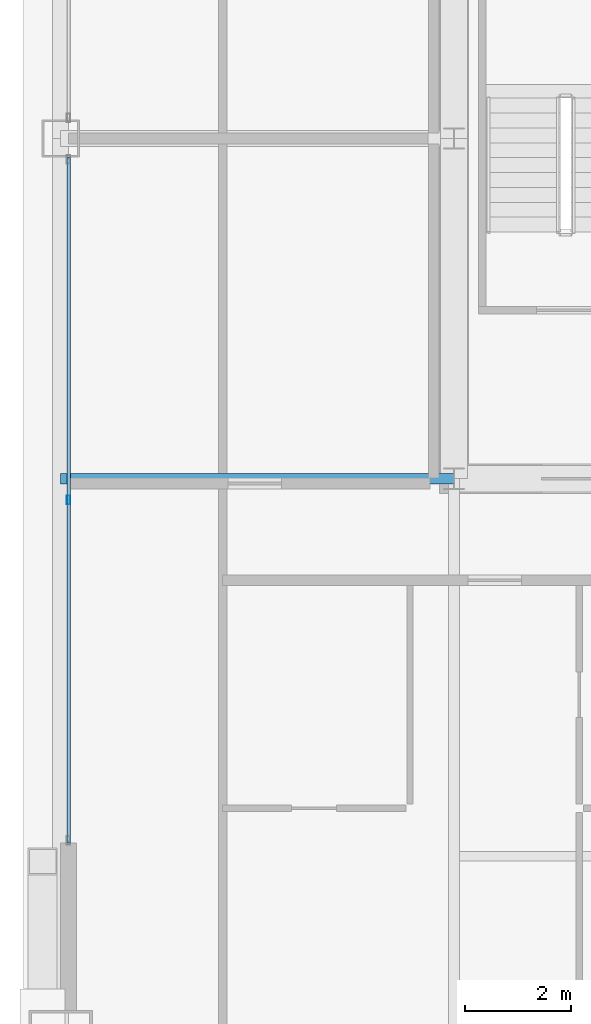
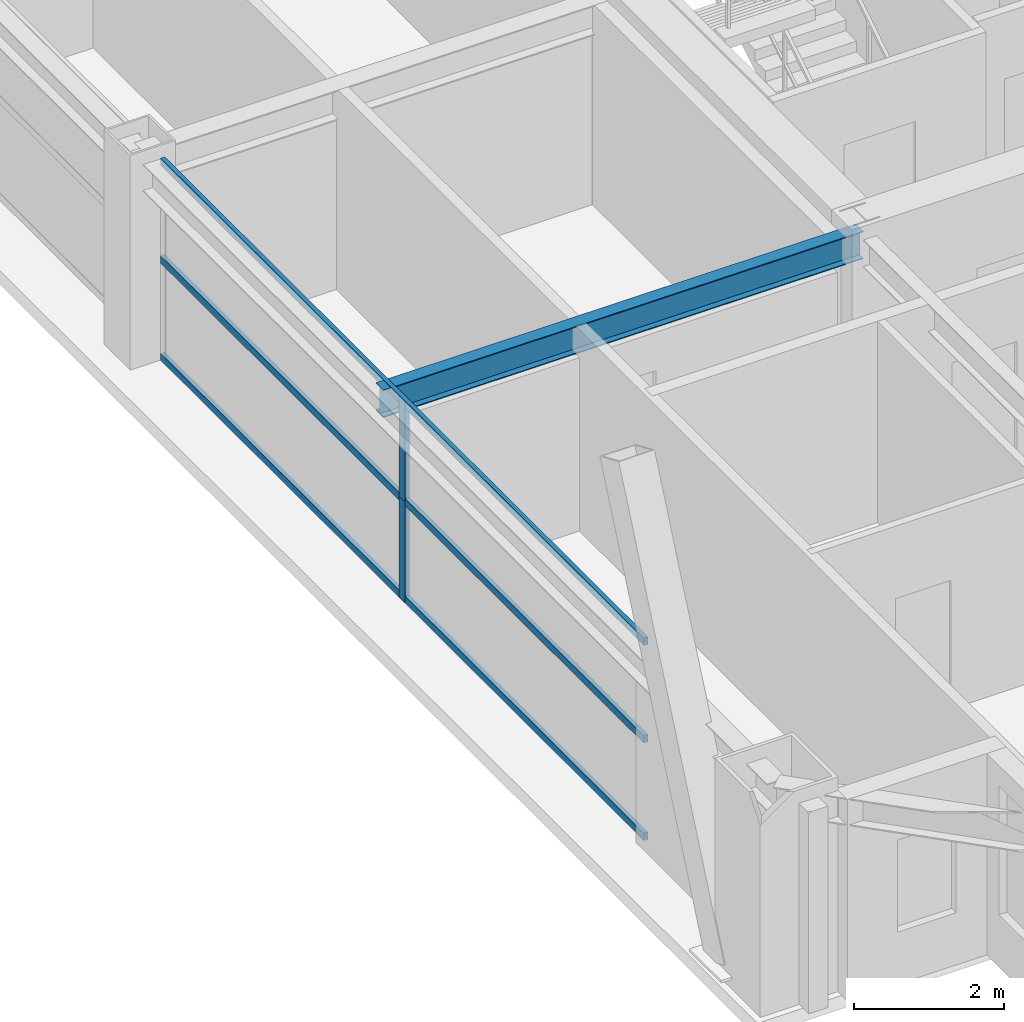
# One storey, part 7 of 35: 5 members, 1 beam, 1 element without a shape of its own.
"""IFC4 building model written with IfcOpenShell, lengths in metres."""

import ifcopenshell
import ifcopenshell.guid

model = None  # the IFC model being written
_history = None  # IfcOwnerHistory: only IFC2X3 demands one
_inside = {}  # id of a spatial element -> (the spatial element, [elements in it])
_under = {}  # id of a project, library or spatial element -> (it, [spatial elements below it])
_declared = {}  # id of a project -> (the project, [libraries it declares])
_typed = {}  # id of a type object -> (the type object, [elements of that type])
_made_of = {}  # id of a material, layer set ... -> (it, [elements and type objects made of it])


def new_model(schema):
    """Start an empty IFC model of exactly this schema.

    Asked for "IFC4X3", IfcOpenShell would pick the latest addendum, in which some entities
    have other attributes; the version numbers below select the first issue.
    IFC2X3 requires an IfcOwnerHistory on every rooted entity: one is made here for all.
    """
    global model, _history
    if schema == "IFC4X3":
        model = ifcopenshell.file(schema_version=(4, 3, 0, 0))
    else:
        model = ifcopenshell.file(schema=schema)
    _inside.clear()
    _under.clear()
    _declared.clear()
    _typed.clear()
    _made_of.clear()
    _history = None
    if model.schema == "IFC2X3":
        org = make("IfcOrganization", Name="unknown")
        user = make(
            "IfcPersonAndOrganization",
            ThePerson=make("IfcPerson", FamilyName="unknown"),
            TheOrganization=org,
        )
        app = make(
            "IfcApplication",
            ApplicationDeveloper=org,
            Version="unknown",
            ApplicationFullName="unknown",
            ApplicationIdentifier="unknown",
        )
        _history = make(
            "IfcOwnerHistory",
            OwningUser=user,
            OwningApplication=app,
            ChangeAction="ADDED",
            CreationDate=0,
        )
    return model


def make(cls, **values):
    """One entity of the class cls with the attributes given. An attribute that is None is left unset."""
    return model.create_entity(
        cls, **{name: value for name, value in values.items() if value is not None}
    )


def rooted(cls, **values):
    """An entity with a GlobalId (a new one), such as an element, a storey or a relation."""
    return make(cls, GlobalId=ifcopenshell.guid.new(), OwnerHistory=_history, **values)


def si_unit(unit_type, name, prefix=None):
    """IfcSIUnit, for example si_unit("LENGTHUNIT", "METRE", prefix="MILLI")."""
    return make("IfcSIUnit", UnitType=unit_type, Prefix=prefix, Name=name)


def assignment(units):
    """IfcUnitAssignment: the units of a project."""
    return None if units is None else make("IfcUnitAssignment", Units=units)


def point(xyz):
    """IfcCartesianPoint."""
    return None if xyz is None else make("IfcCartesianPoint", Coordinates=xyz)


def direction(xyz):
    """IfcDirection."""
    return None if xyz is None else make("IfcDirection", DirectionRatios=xyz)


def frame(location, z_axis=None, x_axis=None):
    """IfcAxis2Placement3D, a coordinate frame: its origin and axes. An axis left out is left unset."""
    return make(
        "IfcAxis2Placement3D",
        Location=point(location),
        Axis=direction(z_axis),
        RefDirection=direction(x_axis),
    )


def frame_2d(location, x_axis=None):
    """IfcAxis2Placement2D, a coordinate frame in the plane: its origin and x axis."""
    return make(
        "IfcAxis2Placement2D", Location=point(location), RefDirection=direction(x_axis)
    )


def origin():
    """The frame at (0, 0, 0) with its axes left unset."""
    return frame((0.0, 0.0, 0.0))


def origin_2d():
    """The frame at (0, 0) in the plane with its x axis left unset."""
    return frame_2d((0.0, 0.0))


def place(relative_to, where):
    """IfcLocalPlacement: puts the frame where relative to a parent placement (None: the world)."""
    return make(
        "IfcLocalPlacement", PlacementRelTo=relative_to, RelativePlacement=where
    )


def context(
    kind, dimensions, precision=None, world=None, true_north=None, identifier=None
):
    """IfcGeometricRepresentationContext, for example the 3D "Model" context."""
    return make(
        "IfcGeometricRepresentationContext",
        ContextIdentifier=identifier,
        ContextType=kind,
        CoordinateSpaceDimension=dimensions,
        Precision=precision,
        WorldCoordinateSystem=world,
        TrueNorth=true_north,
    )


def subcontext(parent, identifier, kind, view, scale=None):
    """IfcGeometricRepresentationSubContext, for example "Body" below "Model"."""
    return make(
        "IfcGeometricRepresentationSubContext",
        ContextIdentifier=identifier,
        ContextType=kind,
        ParentContext=parent,
        TargetScale=scale,
        TargetView=view,
    )


def project(units=None, contexts=None):
    """IfcProject with its units and contexts."""
    return rooted(
        "IfcProject",
        Name="project",
        RepresentationContexts=contexts,
        UnitsInContext=assignment(units),
    )


def spatial(cls, under=None, at=None, **own):
    """A site, building, storey or space (cls), placed at a placement, below another one or the project."""
    s = rooted(cls, ObjectPlacement=at, **own)
    if under is not None:
        _under.setdefault(under.id(), (under, []))[1].append(s)
    return s


def profile(cls, at=None, kind="AREA", **sizes):
    """A parametric profile (cls). Its sizes go by their IFC names, for example OverallWidth=200.0."""
    return make(cls, ProfileType=kind, Position=at, **sizes)


def hollow_rectangle(**sizes):
    """IfcRectangleHollowProfileDef."""
    return profile("IfcRectangleHollowProfileDef", **sizes)


def i_section(**sizes):
    """IfcIShapeProfileDef."""
    return profile("IfcIShapeProfileDef", **sizes)


def extrude(swept, where, along, depth):
    """IfcExtrudedAreaSolid: the profile swept, set in the frame where, extruded along a direction by depth."""
    return make(
        "IfcExtrudedAreaSolid",
        SweptArea=swept,
        Position=where,
        ExtrudedDirection=direction(along),
        Depth=depth,
    )


def shape(context_of_items, identifier, shape_type, items):
    """IfcShapeRepresentation: the items that make up one representation, for example the "Body"."""
    return make(
        "IfcShapeRepresentation",
        ContextOfItems=context_of_items,
        RepresentationIdentifier=identifier,
        RepresentationType=shape_type,
        Items=items,
    )


def source(mapping_origin, context_of_items, identifier, shape_type, items):
    """IfcRepresentationMap: a shape defined once, which mapped items show again and again."""
    return make(
        "IfcRepresentationMap",
        MappingOrigin=mapping_origin,
        MappedRepresentation=shape(context_of_items, identifier, shape_type, items),
    )


def transform(
    local_origin,
    x_axis=None,
    y_axis=None,
    z_axis=None,
    scale=None,
    scale2=None,
    scale3=None,
    uniform=True,
):
    """IfcCartesianTransformationOperator3D, or its non-uniform kind. x_axis, y_axis, z_axis: its Axis1, 2, 3."""
    if uniform:
        return make(
            "IfcCartesianTransformationOperator3D",
            Axis1=direction(x_axis),
            Axis2=direction(y_axis),
            LocalOrigin=point(local_origin),
            Scale=scale,
            Axis3=direction(z_axis),
        )
    return make(
        "IfcCartesianTransformationOperator3DnonUniform",
        Axis1=direction(x_axis),
        Axis2=direction(y_axis),
        LocalOrigin=point(local_origin),
        Scale=scale,
        Axis3=direction(z_axis),
        Scale2=scale2,
        Scale3=scale3,
    )


def mapped(mapping_source, mapping_target):
    """IfcMappedItem: shows the shape of a source again, moved by a transform."""
    return make(
        "IfcMappedItem", MappingSource=mapping_source, MappingTarget=mapping_target
    )


def material(Name=None, Category=None):
    """IfcMaterial."""
    return make("IfcMaterial", Name=Name, Category=Category)


def layer(
    of_material, thickness, ventilated=None, Name=None, Category=None, Priority=None
):
    """IfcMaterialLayer: one layer of a wall or slab, of a material (None: an air gap)."""
    return make(
        "IfcMaterialLayer",
        Material=of_material,
        LayerThickness=thickness,
        IsVentilated=ventilated,
        Name=Name,
        Category=Category,
        Priority=Priority,
    )


def layer_set(layers, Name=None):
    """IfcMaterialLayerSet."""
    return make("IfcMaterialLayerSet", MaterialLayers=layers, LayerSetName=Name)


def material_profile(
    of_material, cross_section, Name=None, Category=None, Priority=None
):
    """IfcMaterialProfile: a cross section and its material."""
    return make(
        "IfcMaterialProfile",
        Name=Name,
        Material=of_material,
        Profile=cross_section,
        Priority=Priority,
        Category=Category,
    )


def profile_set(profiles, Name=None, composite=None):
    """IfcMaterialProfileSet."""
    return make(
        "IfcMaterialProfileSet",
        Name=Name,
        MaterialProfiles=profiles,
        CompositeProfile=composite,
    )


def made_of(thing, what):
    """Note that an element or type object is made of a material, layer set ...; save() writes the relation."""
    if what is not None:
        _made_of.setdefault(what.id(), (what, []))[1].append(thing)
    return thing


def type_object(cls, material=None, **own):
    """A type object (cls), such as IfcWallType, which elements share."""
    return made_of(rooted(cls, **own), material)


def element(
    cls,
    number,
    at=None,
    inside=None,
    cuts=None,
    type_object=None,
    material=None,
    context=None,
    identifier="Body",
    shape_type=None,
    held_by="IfcProductDefinitionShape",
    body=None,
    shapes=None,
    **own,
):
    """One element of the class cls, such as IfcWall. Its Tag is "e" and its number.

    at: its placement. inside: the storey or other place that contains it. cuts: it is an
    opening in that element (IfcRelVoidsElement). A single representation is given by context,
    identifier, shape_type and body (its items); several are given by shapes. held_by: the class
    of the entity that holds the representations. save() writes the other relations.
    """
    e = rooted(cls, Tag="e%d" % number, ObjectPlacement=at, **own)
    if body is not None:
        shapes = [shape(context, identifier, shape_type, body)]
    if shapes is not None:
        e.Representation = make(held_by, Representations=shapes)
    if inside is not None:
        _inside.setdefault(inside.id(), (inside, []))[1].append(e)
    if cuts is not None:
        rooted(
            "IfcRelVoidsElement", RelatingBuildingElement=cuts, RelatedOpeningElement=e
        )
    if type_object is not None:
        _typed.setdefault(type_object.id(), (type_object, []))[1].append(e)
    return made_of(e, material)


def aggregate(whole, parts):
    """IfcRelAggregates: a whole, such as a stair, and the parts it consists of."""
    return rooted("IfcRelAggregates", RelatingObject=whole, RelatedObjects=parts)


def save(model, path):
    """Write the relations noted so far, then the file.

    IfcRelAggregates (storeys below a building ...), IfcRelContainedInSpatialStructure (elements
    in a storey), IfcRelDefinesByType, IfcRelAssociatesMaterial and IfcRelDeclares: one each for
    every whole, place, type object, material and project.
    """
    for whole, parts in _under.values():
        aggregate(whole, parts)
    for where, things in _inside.values():
        rooted(
            "IfcRelContainedInSpatialStructure",
            RelatedElements=things,
            RelatingStructure=where,
        )
    for kind, things in _typed.values():
        rooted("IfcRelDefinesByType", RelatedObjects=things, RelatingType=kind)
    for what, things in _made_of.values():
        rooted("IfcRelAssociatesMaterial", RelatedObjects=things, RelatingMaterial=what)
    for by, libraries in _declared.values():
        rooted("IfcRelDeclares", RelatingContext=by, RelatedDefinitions=libraries)
    model.write(path)


model = new_model("IFC4")

# Units and contexts
model_context = context("Model", 3, precision=1e-05, world=origin(), true_north=direction((0.0, 1.0)))
body_context = subcontext(model_context, "Body", "Model", "MODEL_VIEW")
ifc_project = project(units=[si_unit("LENGTHUNIT", "METRE"), si_unit("AREAUNIT", "SQUARE_METRE"), si_unit("VOLUMEUNIT", "CUBIC_METRE"), si_unit("PLANEANGLEUNIT", "RADIAN"), si_unit("MASSUNIT", "GRAM", prefix="KILO"), si_unit("THERMODYNAMICTEMPERATUREUNIT", "KELVIN"), si_unit("POWERUNIT", "WATT")], contexts=[model_context])

# Site, building, storey
site_placement = place(None, origin())
site = spatial("IfcSite", under=ifc_project, at=site_placement, CompositionType="ELEMENT")
building_placement = place(site_placement, origin())
building = spatial("IfcBuilding", under=site, at=building_placement, Name="Yuzanri Waterfront Tower", CompositionType="ELEMENT")
storey_placement = place(building_placement, frame((0.0, 0.0, 248.60009765625)))
storey = spatial("IfcBuildingStorey", under=building, at=storey_placement, Name="L66", CompositionType="ELEMENT", Elevation=248.60009765625)

# Beam
ifc_material_1 = material(Name="Steel Q355B", Category="steel")
ifc_material_profile_1 = material_profile(ifc_material_1, i_section(OverallWidth=0.199951171875, OverallDepth=0.449951171875, WebThickness=0.009033203125, FlangeThickness=0.013916015625, at=origin_2d()), Name="HN 450x200x9x14")
ifc_profile_set_1 = profile_set([ifc_material_profile_1], Name="Steel Q355B")
beam_type = type_object("IfcBeamType", Name="Secondary Floor Beam Q355B HN 450x200", PredefinedType="BEAM", material=ifc_profile_set_1)
shared_shape_1 = source(origin(), body_context, "Body", "SweptSolid", [
    extrude(i_section(OverallWidth=0.199951171875, OverallDepth=0.449951171875, WebThickness=0.009033203125, FlangeThickness=0.013916015625, at=origin_2d()), origin(), (0.0, 0.0, 1.0), 7.400146484375),
])
beam_placement = place(storey_placement, frame((23.800048828125, 19.39990234375, 3.054931640625), z_axis=(-1.0, 0.0, 0.0), x_axis=(0.0, -1.0, 0.0)))
element("IfcBeam", 1, at=beam_placement, inside=storey, type_object=beam_type, Name="L66 West-South Core Line Beam", PredefinedType="BEAM", context=body_context, shape_type="MappedRepresentation", body=[
    mapped(shared_shape_1, transform((0.0, 0.0, 0.0), scale=1.0)),
])

# Curtain wall, members
ifc_material_2 = material(Name="Anodized Architectural Bronze", Category="metal")
ifc_layer = layer(ifc_material_2, 0.159912109375)
ifc_layer_set = layer_set([ifc_layer], Name="Anodized Architectural Bronze")
curtain_wall_type = type_object("IfcCurtainWallType", Name="Anodized Bronze Mid-Rise Residential Acoustic Unitized Curtain Wall 7200", PredefinedType="NOTDEFINED", material=ifc_layer_set)
curtain_wall_placement = place(storey_placement, origin())
curtain_wall = element("IfcCurtainWall", 2, at=curtain_wall_placement, inside=storey, type_object=curtain_wall_type, Name="L66 Curtain Wall CW-L66-WL", PredefinedType="NOTDEFINED")
ifc_material_3 = material(Name="Anodized Architectural Bronze", Category="metal")
ifc_material_profile_2 = material_profile(ifc_material_3, hollow_rectangle(XDim=0.06494140625, YDim=0.159912109375, WallThickness=0.00341796875, at=origin_2d()), Name="CWM 65x160")
ifc_profile_set_2 = profile_set([ifc_material_profile_2], Name="Anodized Architectural Bronze")
member_type_1 = type_object("IfcMemberType", Name="Anodized Bronze Upper-Zone Curtain-Wall Mullion 65x160", PredefinedType="MULLION", material=ifc_profile_set_2)
shared_shape_2 = source(origin(), body_context, "Body", "SweptSolid", [
    extrude(hollow_rectangle(XDim=0.06494140625, YDim=0.159912109375, WallThickness=0.00341796875, at=origin_2d()), origin(), (0.0, 0.0, 1.0), 1.637939453125),
])
member_1_placement = place(storey_placement, frame((16.550048828125, 19.0, 0.0), z_axis=(0.0, 0.0, 1.0), x_axis=(1.0, 0.0, 0.0)))
member_1 = element("IfcMember", 3, at=member_1_placement, type_object=member_type_1, Name="CW-L66-WL Lower Mullion 01", PredefinedType="MULLION", context=body_context, shape_type="MappedRepresentation", body=[
    mapped(shared_shape_2, transform((0.0, 0.0, 0.0), scale=1.0)),
])
member_2_placement = place(storey_placement, frame((16.550048828125, 19.0, 1.641845703125), z_axis=(0.0, 0.0, 1.0), x_axis=(1.0, 0.0, 0.0)))
member_2 = element("IfcMember", 4, at=member_2_placement, type_object=member_type_1, Name="CW-L66-WL Upper Mullion 01", PredefinedType="MULLION", context=body_context, shape_type="MappedRepresentation", body=[
    mapped(shared_shape_2, transform((0.0, 0.0, 0.0), scale=1.0)),
])
ifc_material_4 = material(Name="Anodized Architectural Bronze", Category="metal")
ifc_material_profile_3 = material_profile(ifc_material_4, hollow_rectangle(XDim=0.06494140625, YDim=0.1201171875, WallThickness=0.00341796875, at=origin_2d()), Name="CWT 65x120")
ifc_profile_set_3 = profile_set([ifc_material_profile_3], Name="Anodized Architectural Bronze")
member_type_2 = type_object("IfcMemberType", Name="Anodized Bronze Secondary Curtain-Wall Transom 65x120", PredefinedType="USERDEFINED", material=ifc_profile_set_3)
shared_shape_3 = source(origin(), body_context, "Body", "SweptSolid", [
    extrude(hollow_rectangle(XDim=0.06494140625, YDim=0.1201171875, WallThickness=0.00341796875, at=origin_2d()), origin(), (0.0, 0.0, 1.0), 12.89990234375),
])
member_3_placement = place(storey_placement, frame((16.550048828125, 12.550048828125, 0.0498046875), z_axis=(0.0, 1.0, 0.0), x_axis=(-1.0, 0.0, 0.0)))
member_3 = element("IfcMember", 5, at=member_3_placement, type_object=member_type_2, Name="CW-L66-WL Transom 1", ObjectType="TRANSOM", PredefinedType="USERDEFINED", context=body_context, shape_type="MappedRepresentation", body=[
    mapped(shared_shape_3, transform((0.0, 0.0, 0.0), scale=1.0)),
])
member_4_placement = place(storey_placement, frame((16.550048828125, 12.550048828125, 1.639892578125), z_axis=(0.0, 1.0, 0.0), x_axis=(-1.0, 0.0, 0.0)))
member_4 = element("IfcMember", 6, at=member_4_placement, type_object=member_type_2, Name="CW-L66-WL Transom 2", ObjectType="TRANSOM", PredefinedType="USERDEFINED", context=body_context, shape_type="MappedRepresentation", body=[
    mapped(shared_shape_3, transform((0.0, 0.0, 0.0), scale=1.0)),
])
member_5_placement = place(storey_placement, frame((16.550048828125, 12.550048828125, 3.22998046875), z_axis=(0.0, 1.0, 0.0), x_axis=(-1.0, 0.0, 0.0)))
member_5 = element("IfcMember", 7, at=member_5_placement, type_object=member_type_2, Name="CW-L66-WL Transom 3", ObjectType="TRANSOM", PredefinedType="USERDEFINED", context=body_context, shape_type="MappedRepresentation", body=[
    mapped(shared_shape_3, transform((0.0, 0.0, 0.0), scale=1.0)),
])
aggregate(curtain_wall, [member_1, member_2, member_3, member_4, member_5])

save(model, "model.ifc")
